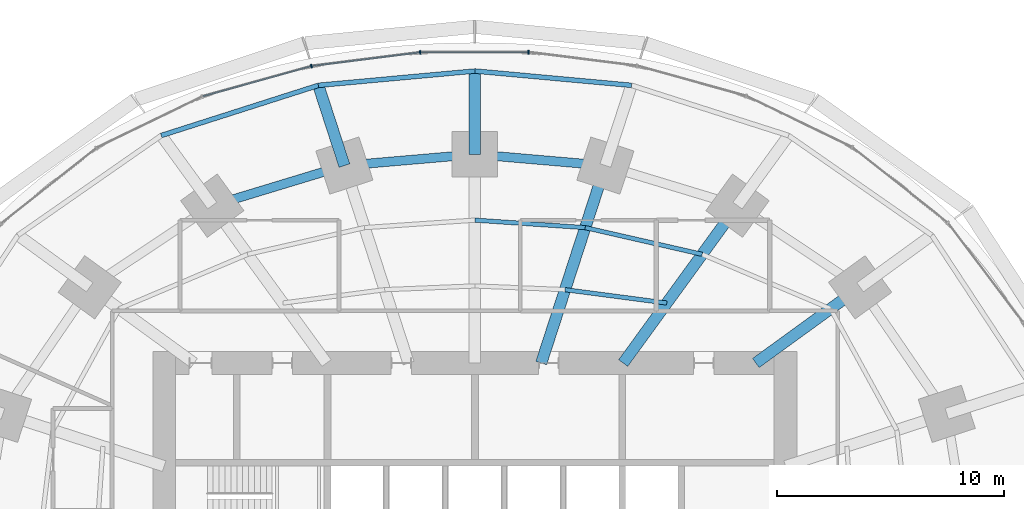
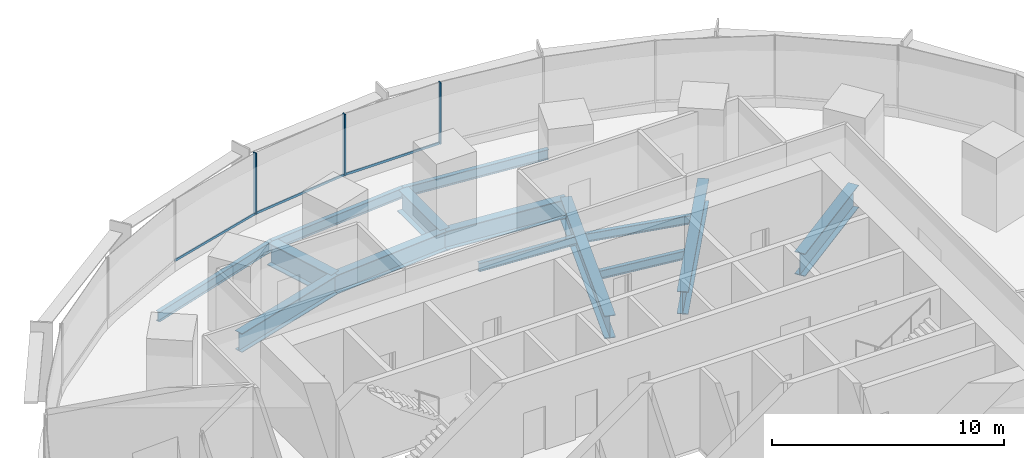
# One storey, part 8 of 15: 14 beams, 6 members, 1 element without a shape of its own.
"""IFC4 building model written with IfcOpenShell, lengths in metres."""

from ifc_helpers import new_model, si_unit, direction, frame, origin, origin_2d, place, context, subcontext, project, spatial, rectangle, i_section, extrude, material, material_profile, profile_set, type_object, element, aggregate, save


model = new_model("IFC4")

# Units and contexts
model_context = context("Model", 3, precision=1e-05, world=origin(), true_north=direction((0.0, 1.0)))
body_context = subcontext(model_context, "Body", "Model", "MODEL_VIEW")
ifc_project = project(units=[si_unit("LENGTHUNIT", "METRE"), si_unit("AREAUNIT", "SQUARE_METRE"), si_unit("VOLUMEUNIT", "CUBIC_METRE"), si_unit("PLANEANGLEUNIT", "RADIAN"), si_unit("MASSUNIT", "GRAM", prefix="KILO")], contexts=[model_context])

# Site, building, storey
site_placement = place(None, origin())
site = spatial("IfcSite", under=ifc_project, at=site_placement, CompositionType="ELEMENT")
building_placement = place(site_placement, origin())
building = spatial("IfcBuilding", under=site, at=building_placement, Name="Marramba Exchange Tower", CompositionType="ELEMENT")
storey_placement = place(building_placement, frame((0.0, 0.0, 40.60009765625)))
storey = spatial("IfcBuildingStorey", under=building, at=storey_placement, Name="L09", CompositionType="ELEMENT", Elevation=40.60009765625)

# Beams
ifc_material_1 = material(Name="Steel AS/NZS 3679.2 grade 300", Category="steel")
ifc_material_profile_1 = material_profile(ifc_material_1, i_section(OverallWidth=0.5, OverallDepth=1.199951171875, WebThickness=0.01611328125, FlangeThickness=0.0400390625, at=origin_2d()), Name="1200WB455")
ifc_profile_set_1 = profile_set([ifc_material_profile_1], Name="Steel AS/NZS 3679.2 grade 300")
beam_type_1 = type_object("IfcBeamType", Name="Cantilever girder 1200WB455", PredefinedType="BEAM", material=ifc_profile_set_1)
beam_1_placement = place(storey_placement, frame((0.0, 18.2041015625, -0.760009765625), z_axis=(0.0, 1.0, 0.0), x_axis=(-1.0, 0.0, 0.0)))
element("IfcBeam", 1, at=beam_1_placement, inside=storey, type_object=beam_type_1, Name="Cantilever girder L09 TC06", PredefinedType="BEAM", context=body_context, shape_type="SweptSolid", body=[
    extrude(i_section(OverallWidth=0.5, OverallDepth=1.199951171875, WebThickness=0.01611328125, FlangeThickness=0.0400390625, at=origin_2d()), origin(), (0.0, 0.0, 1.0), 3.673828125),
])
beam_2_placement = place(storey_placement, frame((-5.75390625, 17.70849609375, -0.760009765625), z_axis=(-0.308973290646, 0.951070715387, 0.0), x_axis=(-0.951070715387, -0.308973290646, 0.0)))
element("IfcBeam", 2, at=beam_2_placement, inside=storey, type_object=beam_type_1, Name="Cantilever girder L09 TC07", PredefinedType="BEAM", context=body_context, shape_type="SweptSolid", body=[
    extrude(i_section(OverallWidth=0.5, OverallDepth=1.199951171875, WebThickness=0.01611328125, FlangeThickness=0.0400390625, at=origin_2d()), origin(), (0.0, 0.0, 1.0), 3.72021484375),
])
ifc_material_2 = material(Name="Steel AS/NZS 3679.1 grade 300", Category="steel")
ifc_material_profile_2 = material_profile(ifc_material_2, i_section(OverallWidth=0.18994140625, OverallDepth=0.4541015625, WebThickness=0.008544921875, FlangeThickness=0.0126953125, FilletRadius=0.011474609375, at=origin_2d()), Name="460UB67.1")
ifc_profile_set_2 = profile_set([ifc_material_profile_2], Name="Steel AS/NZS 3679.1 grade 300")
beam_type_2 = type_object("IfcBeamType", Name="Floor joist 460UB67.1", PredefinedType="JOIST", material=ifc_profile_set_2)
beam_3_placement = place(storey_placement, frame((8.4619140625, 11.646728515625, -0.38720703125), z_axis=(-0.991480538255, 0.130254912618, 0.0), x_axis=(-0.130254912618, -0.991480538255, 0.0)))
element("IfcBeam", 3, at=beam_3_placement, inside=storey, type_object=beam_type_2, Name="Joist L09 bay 04 row 1", PredefinedType="JOIST", context=body_context, shape_type="SweptSolid", body=[
    extrude(i_section(OverallWidth=0.18994140625, OverallDepth=0.4541015625, WebThickness=0.008544921875, FlangeThickness=0.0126953125, FilletRadius=0.011474609375, at=origin_2d()), origin(), (0.0, 0.0, 1.0), 4.524658203125),
])
beam_4_placement = place(storey_placement, frame((10.021728515625, 13.793701171875, -0.38720703125), z_axis=(-0.974859652292, 0.222819788916, 0.0), x_axis=(-0.222819788916, -0.974859652292, 0.0)))
element("IfcBeam", 4, at=beam_4_placement, inside=storey, type_object=beam_type_2, Name="Joist L09 bay 04 row 2", PredefinedType="JOIST", context=body_context, shape_type="SweptSolid", body=[
    extrude(i_section(OverallWidth=0.18994140625, OverallDepth=0.4541015625, WebThickness=0.008544921875, FlangeThickness=0.0126953125, FilletRadius=0.011474609375, at=origin_2d()), origin(), (0.0, 0.0, 1.0), 5.2900390625),
])
beam_5_placement = place(storey_placement, frame((4.86474609375, 14.972412109375, -0.38720703125), z_axis=(-0.997702652202, 0.067745241816, 0.0), x_axis=(-0.067745241816, -0.997702652202, 0.0)))
element("IfcBeam", 5, at=beam_5_placement, inside=storey, type_object=beam_type_2, Name="Joist L09 bay 05 row 2", PredefinedType="JOIST", context=body_context, shape_type="SweptSolid", body=[
    extrude(i_section(OverallWidth=0.18994140625, OverallDepth=0.4541015625, WebThickness=0.008544921875, FlangeThickness=0.0126953125, FilletRadius=0.011474609375, at=origin_2d()), origin(), (0.0, 0.0, 1.0), 4.8759765625),
])
ifc_material_profile_3 = material_profile(ifc_material_1, i_section(OverallWidth=0.5, OverallDepth=1.199951171875, WebThickness=0.01611328125, FlangeThickness=0.0400390625, at=origin_2d()), Name="1200WB455")
ifc_profile_set_3 = profile_set([ifc_material_profile_3], Name="Steel AS/NZS 3679.2 grade 300")
beam_type_3 = type_object("IfcBeamType", Name="Radial girder 1200WB455", PredefinedType="BEAM", material=ifc_profile_set_3)
beam_6_placement = place(storey_placement, frame((12.387451171875, 9.0, -0.760009765625), z_axis=(0.809025746925, 0.587773205252, 0.0), x_axis=(-0.587773205252, 0.809025746925, 0.0)))
element("IfcBeam", 6, at=beam_6_placement, inside=storey, type_object=beam_type_3, Name="Radial girder L09 TC03", PredefinedType="BEAM", context=body_context, shape_type="SweptSolid", body=[
    extrude(i_section(OverallWidth=0.5, OverallDepth=1.199951171875, WebThickness=0.01611328125, FlangeThickness=0.0400390625, at=origin_2d()), origin(), (0.0, 0.0, 1.0), 5.683837890625),
])
beam_7_placement = place(storey_placement, frame((6.538818359375, 9.0, -0.760009765625), z_axis=(0.587782439969, 0.80901903764, 0.0), x_axis=(-0.80901903764, 0.587782439969, 0.0)))
element("IfcBeam", 7, at=beam_7_placement, inside=storey, type_object=beam_type_3, Name="Radial girder L09 TC04", PredefinedType="BEAM", context=body_context, shape_type="SweptSolid", body=[
    extrude(i_section(OverallWidth=0.5, OverallDepth=1.199951171875, WebThickness=0.01611328125, FlangeThickness=0.0400390625, at=origin_2d()), origin(), (0.0, 0.0, 1.0), 8.578857421875),
])
beam_8_placement = place(storey_placement, frame((2.92431640625, 9.0, -0.760009765625), z_axis=(0.309019754162, 0.951055619582, 0.0), x_axis=(-0.951055619582, 0.309019754162, 0.0)))
element("IfcBeam", 8, at=beam_8_placement, inside=storey, type_object=beam_type_3, Name="Radial girder L09 TC05", PredefinedType="BEAM", context=body_context, shape_type="SweptSolid", body=[
    extrude(i_section(OverallWidth=0.5, OverallDepth=1.199951171875, WebThickness=0.01611328125, FlangeThickness=0.0400390625, at=origin_2d()), origin(), (0.0, 0.0, 1.0), 9.15673828125),
])
ifc_material_profile_4 = material_profile(ifc_material_1, i_section(OverallWidth=0.39990234375, OverallDepth=1.0, WebThickness=0.01611328125, FlangeThickness=0.031982421875, at=origin_2d()), Name="1000WB322")
ifc_profile_set_4 = profile_set([ifc_material_profile_4], Name="Steel AS/NZS 3679.2 grade 300")
beam_type_4 = type_object("IfcBeamType", Name="Ring beam 1000WB322", PredefinedType="SPANDREL", material=ifc_profile_set_4)
for number, where, z_axis, x_axis, name in (
    (9, (5.75390625, 17.70849609375, -0.66015625), (-0.996311003275, 0.085815993578, 0.0), (-0.085815993578, -0.996311003275, 0.0), "Ring beam L09 TC05-TC06"),
    (10, (0.0, 18.2041015625, -0.66015625), (-0.996311003275, -0.085815993578, 0.0), (0.085815993578, -0.996311003275, 0.0), "Ring beam L09 TC06-TC07"),
):
    element("IfcBeam", number, at=place(storey_placement, frame(where, z_axis=z_axis, x_axis=x_axis)), inside=storey, type_object=beam_type_4, Name=name, PredefinedType="SPANDREL", context=body_context, shape_type="SweptSolid", body=[
        extrude(i_section(OverallWidth=0.39990234375, OverallDepth=1.0, WebThickness=0.01611328125, FlangeThickness=0.031982421875, at=origin_2d()), origin(), (0.0, 0.0, 1.0), 5.775146484375),
    ])
beam_9_placement = place(storey_placement, frame((-5.75390625, 17.70849609375, -0.66015625), z_axis=(-0.956924542524, -0.290336735387, 0.0), x_axis=(0.290336735387, -0.956924542524, 0.0)))
element("IfcBeam", 11, at=beam_9_placement, inside=storey, type_object=beam_type_4, Name="Ring beam L09 TC07-TC08", PredefinedType="SPANDREL", context=body_context, shape_type="SweptSolid", body=[
    extrude(i_section(OverallWidth=0.39990234375, OverallDepth=1.0, WebThickness=0.01611328125, FlangeThickness=0.031982421875, at=origin_2d()), origin(), (0.0, 0.0, 1.0), 6.089599609375),
])
ifc_material_profile_5 = material_profile(ifc_material_2, i_section(OverallWidth=0.208984375, OverallDepth=0.528076171875, WebThickness=0.009521484375, FlangeThickness=0.01318359375, FilletRadius=0.013916015625, at=origin_2d()), Name="530UB82.0")
ifc_profile_set_5 = profile_set([ifc_material_profile_5], Name="Steel AS/NZS 3679.1 grade 300")
beam_type_5 = type_object("IfcBeamType", Name="Slab edge beam 530UB82.0", PredefinedType="SPANDREL", material=ifc_profile_set_5)
for number, where, z_axis, x_axis, name in (
    (12, (6.9033203125, 21.24658203125, -0.424072265625), (-0.995843984921, 0.091075560369, 0.0), (-0.091075560369, -0.995843984921, 0.0), "Slab edge beam L09 TC05-TC06"),
    (13, (0.0, 21.8779296875, -0.424072265625), (-0.995843984921, -0.091075560369, 0.0), (0.091075560369, -0.995843984921, 0.0), "Slab edge beam L09 TC06-TC07"),
):
    element("IfcBeam", number, at=place(storey_placement, frame(where, z_axis=z_axis, x_axis=x_axis)), inside=storey, type_object=beam_type_5, Name=name, PredefinedType="SPANDREL", context=body_context, shape_type="SweptSolid", body=[
        extrude(i_section(OverallWidth=0.208984375, OverallDepth=0.528076171875, WebThickness=0.009521484375, FlangeThickness=0.01318359375, FilletRadius=0.013916015625, at=origin_2d()), origin(), (0.0, 0.0, 1.0), 6.93212890625),
    ])
beam_10_placement = place(storey_placement, frame((-6.9033203125, 21.24658203125, -0.424072265625), z_axis=(-0.952577642997, -0.304295635957, 0.0), x_axis=(0.304295635957, -0.952577642997, 0.0)))
element("IfcBeam", 14, at=beam_10_placement, inside=storey, type_object=beam_type_5, Name="Slab edge beam L09 TC07-TC08", PredefinedType="SPANDREL", context=body_context, shape_type="SweptSolid", body=[
    extrude(i_section(OverallWidth=0.208984375, OverallDepth=0.528076171875, WebThickness=0.009521484375, FlangeThickness=0.01318359375, FilletRadius=0.013916015625, at=origin_2d()), origin(), (0.0, 0.0, 1.0), 7.2705078125),
])

# Curtain wall, members
ifc_material_3 = material(Name="Aluminium framing, bronze anodised", Category="aluminium")
curtain_wall_type = type_object("IfcCurtainWallType", Name="Trading floor ribbon curtain wall", PredefinedType="USERDEFINED", material=ifc_material_3)
curtain_wall_placement = place(storey_placement, origin())
curtain_wall = element("IfcCurtainWall", 15, at=curtain_wall_placement, inside=storey, type_object=curtain_wall_type, Name="Curtain wall CW3 L09 F06-F10", ObjectType="RIBBON CURTAIN WALL", PredefinedType="USERDEFINED")
ifc_material_4 = material(Name="Aluminium mullion, bronze anodised", Category="aluminium")
ifc_material_profile_6 = material_profile(ifc_material_4, rectangle(XDim=0.159912109375, YDim=0.06005859375, at=origin_2d()), Name="CW3 mullion 60x160")
ifc_profile_set_6 = profile_set([ifc_material_profile_6], Name="Aluminium mullion, bronze anodised")
member_type_1 = type_object("IfcMemberType", Name="Trading floor ribbon curtain wall mullion", PredefinedType="MULLION", material=ifc_profile_set_6)
member_1_placement = place(storey_placement, frame((2.3564453125, 22.7060546875, 0.7998046875), z_axis=(0.0, 0.0, 1.0), x_axis=(0.0, -1.0, 0.0)))
member_1 = element("IfcMember", 16, at=member_1_placement, type_object=member_type_1, Name="CW3 mullion 1", PredefinedType="MULLION", context=body_context, shape_type="SweptSolid", body=[
    extrude(rectangle(XDim=0.159912109375, YDim=0.06005859375, at=origin_2d()), origin(), (0.0, 0.0, 1.0), 3.239990234375),
])
member_2_placement = place(storey_placement, frame((-2.416259765625, 22.7021484375, 0.7998046875), z_axis=(0.0, 0.0, 1.0), x_axis=(0.124872723099, -0.992172768738, 0.0)))
member_2 = element("IfcMember", 17, at=member_2_placement, type_object=member_type_1, Name="CW3 mullion 1", PredefinedType="MULLION", context=body_context, shape_type="SweptSolid", body=[
    extrude(rectangle(XDim=0.159912109375, YDim=0.06005859375, at=origin_2d()), origin(), (0.0, 0.0, 1.0), 3.239990234375),
])
member_3_placement = place(storey_placement, frame((-7.21044921875, 22.094482421875, 0.7998046875), z_axis=(0.0, 0.0, 1.0), x_axis=(0.267808735815, -0.963472096649, 0.0)))
member_3 = element("IfcMember", 18, at=member_3_placement, type_object=member_type_1, Name="CW3 mullion 1", PredefinedType="MULLION", context=body_context, shape_type="SweptSolid", body=[
    extrude(rectangle(XDim=0.159912109375, YDim=0.06005859375, at=origin_2d()), origin(), (0.0, 0.0, 1.0), 3.239990234375),
])
ifc_material_5 = material(Name="Aluminium transom, bronze anodised", Category="aluminium")
ifc_material_profile_7 = material_profile(ifc_material_5, rectangle(XDim=0.06005859375, YDim=0.1201171875, at=origin_2d()), Name="CW3 transom 60x120")
ifc_profile_set_7 = profile_set([ifc_material_profile_7], Name="Aluminium transom, bronze anodised")
member_type_2 = type_object("IfcMemberType", Name="Trading floor ribbon curtain wall transom", PredefinedType="USERDEFINED", material=ifc_profile_set_7)
member_4_placement = place(storey_placement, frame((2.326416015625, 22.7060546875, 0.829833984375), z_axis=(-1.0, 0.0, 0.0), x_axis=(0.0, -1.0, 0.0)))
member_4 = element("IfcMember", 19, at=member_4_placement, type_object=member_type_2, Name="CW3 sill transom", ObjectType="TRANSOM", PredefinedType="USERDEFINED", context=body_context, shape_type="SweptSolid", body=[
    extrude(rectangle(XDim=0.06005859375, YDim=0.1201171875, at=origin_2d()), origin(), (0.0, 0.0, 1.0), 4.712890625),
])
member_5_placement = place(storey_placement, frame((-2.446044921875, 22.698486328125, 0.829833984375), z_axis=(-0.992174445211, -0.124859402009, 0.0), x_axis=(0.124859402009, -0.992174445211, 0.0)))
member_5 = element("IfcMember", 20, at=member_5_placement, type_object=member_type_2, Name="CW3 sill transom", ObjectType="TRANSOM", PredefinedType="USERDEFINED", context=body_context, shape_type="SweptSolid", body=[
    extrude(rectangle(XDim=0.06005859375, YDim=0.1201171875, at=origin_2d()), origin(), (0.0, 0.0, 1.0), 4.77294921875),
])
member_6_placement = place(storey_placement, frame((-7.2392578125, 22.08642578125, 0.829833984375), z_axis=(-0.963472490071, -0.267807320431, 0.0), x_axis=(0.267807320431, -0.963472490071, 0.0)))
member_6 = element("IfcMember", 21, at=member_6_placement, type_object=member_type_2, Name="CW3 sill transom", ObjectType="TRANSOM", PredefinedType="USERDEFINED", context=body_context, shape_type="SweptSolid", body=[
    extrude(rectangle(XDim=0.06005859375, YDim=0.1201171875, at=origin_2d()), origin(), (0.0, 0.0, 1.0), 4.93017578125),
])
aggregate(curtain_wall, [member_1, member_4, member_2, member_5, member_3, member_6])

save(model, "model.ifc")
